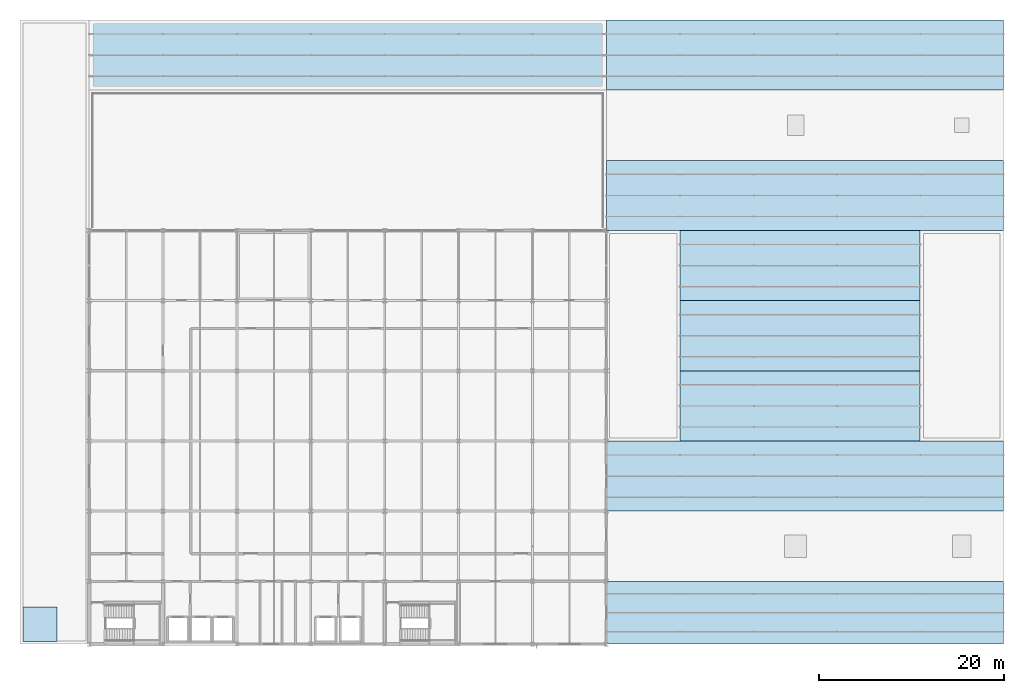
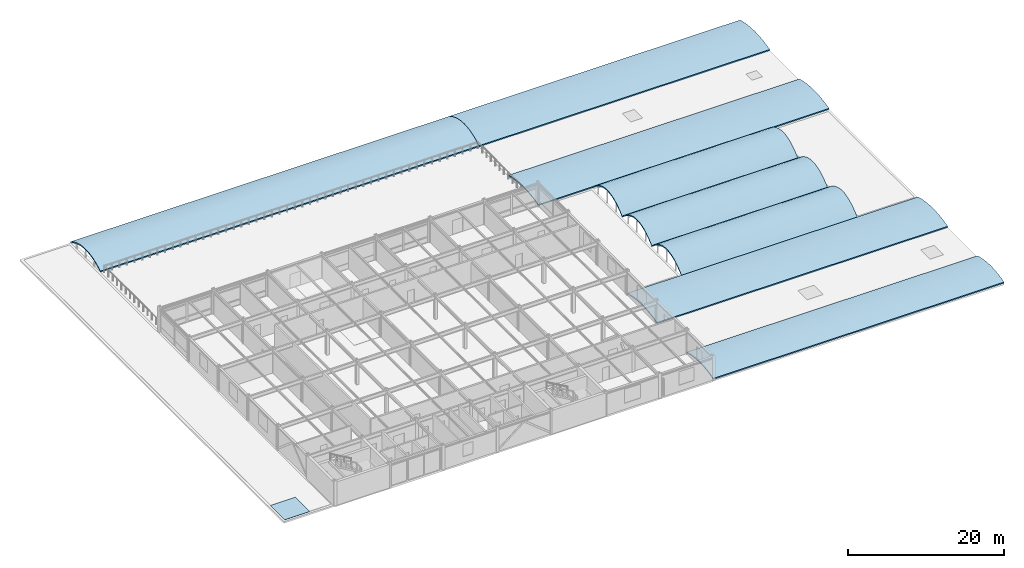
# One storey, part 43 of 46: 9 roofs.
"""IFC4 building model written with IfcOpenShell, lengths in metres."""

from ifc_helpers import new_model, si_unit, direction, frame, origin, place, context, subcontext, project, spatial, polyline, outline, extrude, material, layer, layer_set, type_object, element, save


model = new_model("IFC4")

# Units and contexts
model_context = context("Model", 3, precision=1e-05, world=origin(), true_north=direction((0.0, 1.0)))
body_context = subcontext(model_context, "Body", "Model", "MODEL_VIEW")
ifc_project = project(units=[si_unit("LENGTHUNIT", "METRE"), si_unit("AREAUNIT", "SQUARE_METRE"), si_unit("VOLUMEUNIT", "CUBIC_METRE"), si_unit("PLANEANGLEUNIT", "RADIAN"), si_unit("MASSUNIT", "GRAM", prefix="KILO")], contexts=[model_context])

# Site, building, storey
site_placement = place(None, origin())
site = spatial("IfcSite", under=ifc_project, at=site_placement, CompositionType="ELEMENT")
building_placement = place(site_placement, origin())
building = spatial("IfcBuilding", under=site, at=building_placement, Name="Shalkamar Park Central Library", CompositionType="ELEMENT")
storey_placement = place(building_placement, frame((0.0, 0.0, 20.39990234375)))
storey = spatial("IfcBuildingStorey", under=building, at=storey_placement, Name="L05", CompositionType="ELEMENT", Elevation=20.39990234375)

# Roofs
ifc_material = material(Name="Concrete C35/45", Category="concrete")
ifc_layer_1 = layer(ifc_material, 0.239990234375)
ifc_layer_set_1 = layer_set([ifc_layer_1], Name="Concrete C35/45")
roof_type_1 = type_object("IfcRoofType", Name="Insulated Flat Roof Assembly", PredefinedType="FLAT_ROOF", material=ifc_layer_set_1)
roof_1_placement = place(storey_placement, origin())
element("IfcRoof", 1, at=roof_1_placement, inside=storey, type_object=roof_type_1, Name="Level L05 Insulated Flat Roof Assembly", PredefinedType="FLAT_ROOF", context=body_context, shape_type="SweptSolid", body=[
    extrude(outline(polyline([(157.800048828125, 248.699951171875), (161.5, 248.699951171875), (161.5, 252.39990234375), (157.800048828125, 252.39990234375), (157.800048828125, 248.699951171875)])), origin(), (0.0, 0.0, 1.0), 0.030029296875),
])
ifc_layer_2 = layer(ifc_material, 0.179931640625)
ifc_layer_set_2 = layer_set([ifc_layer_2], Name="Concrete C35/45")
roof_type_2 = type_object("IfcRoofType", Name="Polychrome Barrel Vault Roof", PredefinedType="BARREL_ROOF", material=ifc_layer_set_2)
for number, where, z_axis, x_axis, name in (
    (2, (229.0, 274.199951171875, 0.0), (0.0, 0.0, 1.0), (1.0, 0.0, 0.0), "Barrel Vault Clerestory Roof BV-L04-1"),
    (3, (229.0, 281.800048828125, 0.0), (0.0, 0.0, 1.0), (1.0, 0.0, 0.0), "Barrel Vault Clerestory Roof BV-L04-2"),
):
    element("IfcRoof", number, at=place(storey_placement, frame(where, z_axis=z_axis, x_axis=x_axis)), inside=storey, type_object=roof_type_2, Name=name, PredefinedType="BARREL_ROOF", context=body_context, shape_type="SweptSolid", body=[
        extrude(outline(polyline([(-3.800048828125, 0.179931640625), (-3.324951171875, 0.601806640625), (-2.85009765625, 0.967529296875), (-2.375, 1.27685546875), (-1.89990234375, 1.530029296875), (-1.425048828125, 1.726806640625), (-0.949951171875, 1.867431640625), (-0.47509765625, 1.951904296875), (0.0, 1.97998046875), (0.47509765625, 1.951904296875), (0.949951171875, 1.867431640625), (1.425048828125, 1.726806640625), (1.89990234375, 1.530029296875), (2.375, 1.27685546875), (2.85009765625, 0.967529296875), (3.324951171875, 0.601806640625), (3.800048828125, 0.179931640625), (3.800048828125, 0.0), (3.324951171875, 0.421875), (2.85009765625, 0.78759765625), (2.375, 1.096923828125), (1.89990234375, 1.35009765625), (1.425048828125, 1.546875), (0.949951171875, 1.6875), (0.47509765625, 1.77197265625), (0.0, 1.800048828125), (-0.47509765625, 1.77197265625), (-0.949951171875, 1.6875), (-1.425048828125, 1.546875), (-1.89990234375, 1.35009765625), (-2.375, 1.096923828125), (-2.85009765625, 0.78759765625), (-3.324951171875, 0.421875), (-3.800048828125, 0.0), (-3.800048828125, 0.179931640625)])), frame((0.0, 0.0, 0.0), z_axis=(1.0, 0.0, 0.0), x_axis=(0.0, 1.0, 0.0)), (0.0, 0.0, 1.0), 26.0),
    ])
roof_2_placement = place(storey_placement, frame((229.0, 289.39990234375, 0.0), z_axis=(0.0, 0.0, 1.0), x_axis=(1.0, 0.0, 0.0)))
element("IfcRoof", 4, at=roof_2_placement, inside=storey, type_object=roof_type_2, Name="Barrel Vault Clerestory Roof BV-L04-3", PredefinedType="BARREL_ROOF", context=body_context, shape_type="SweptSolid", body=[
    extrude(outline(polyline([(-3.7998046875, 0.179931640625), (-3.324951171875, 0.601806640625), (-2.849853515625, 0.967529296875), (-2.375, 1.27685546875), (-1.89990234375, 1.530029296875), (-1.425048828125, 1.726806640625), (-0.949951171875, 1.867431640625), (-0.47509765625, 1.951904296875), (0.0, 1.97998046875), (0.47509765625, 1.951904296875), (0.949951171875, 1.867431640625), (1.425048828125, 1.726806640625), (1.89990234375, 1.530029296875), (2.375, 1.27685546875), (2.849853515625, 0.967529296875), (3.324951171875, 0.601806640625), (3.7998046875, 0.179931640625), (3.7998046875, 0.0), (3.324951171875, 0.421875), (2.849853515625, 0.78759765625), (2.375, 1.096923828125), (1.89990234375, 1.35009765625), (1.425048828125, 1.546875), (0.949951171875, 1.6875), (0.47509765625, 1.77197265625), (0.0, 1.800048828125), (-0.47509765625, 1.77197265625), (-0.949951171875, 1.6875), (-1.425048828125, 1.546875), (-1.89990234375, 1.35009765625), (-2.375, 1.096923828125), (-2.849853515625, 0.78759765625), (-3.324951171875, 0.421875), (-3.7998046875, 0.0), (-3.7998046875, 0.179931640625)])), frame((0.0, 0.0, 0.0), z_axis=(1.0, 0.0, 0.0), x_axis=(0.0, 1.0, 0.0)), (0.0, 0.0, 1.0), 26.0),
])
roof_3_placement = place(storey_placement, frame((221.0, 251.7998046875, 0.0), z_axis=(0.0, 0.0, 1.0), x_axis=(1.0, 0.0, 0.0)))
element("IfcRoof", 5, at=roof_3_placement, inside=storey, type_object=roof_type_2, Name="Barrel Vault Clerestory Roof BV-L04-S1", PredefinedType="BARREL_ROOF", context=body_context, shape_type="SweptSolid", body=[
    extrude(outline(polyline([(-3.39990234375, 0.179931640625), (-2.97509765625, 0.3017578125), (-2.550048828125, 0.407470703125), (-2.125, 0.496826171875), (-1.699951171875, 0.56982421875), (-1.27490234375, 0.626708984375), (-0.85009765625, 0.66748046875), (-0.425048828125, 0.69189453125), (0.0, 0.699951171875), (0.425048828125, 0.69189453125), (0.85009765625, 0.66748046875), (1.27490234375, 0.626708984375), (1.699951171875, 0.56982421875), (2.125, 0.496826171875), (2.550048828125, 0.407470703125), (2.97509765625, 0.3017578125), (3.39990234375, 0.179931640625), (3.39990234375, 0.0), (2.97509765625, 0.121826171875), (2.550048828125, 0.2275390625), (2.125, 0.31689453125), (1.699951171875, 0.39013671875), (1.27490234375, 0.44677734375), (0.85009765625, 0.487548828125), (0.425048828125, 0.511962890625), (0.0, 0.52001953125), (-0.425048828125, 0.511962890625), (-0.85009765625, 0.487548828125), (-1.27490234375, 0.44677734375), (-1.699951171875, 0.39013671875), (-2.125, 0.31689453125), (-2.550048828125, 0.2275390625), (-2.97509765625, 0.121826171875), (-3.39990234375, 0.0), (-3.39990234375, 0.179931640625)])), frame((0.0, 0.0, 0.0), z_axis=(1.0, 0.0, 0.0), x_axis=(0.0, 1.0, 0.0)), (0.0, 0.0, 1.0), 43.0),
])
roof_4_placement = place(storey_placement, frame((221.0, 266.60009765625, 0.0), z_axis=(0.0, 0.0, 1.0), x_axis=(1.0, 0.0, 0.0)))
element("IfcRoof", 6, at=roof_4_placement, inside=storey, type_object=roof_type_2, Name="Barrel Vault Clerestory Roof BV-L04-S2", PredefinedType="BARREL_ROOF", context=body_context, shape_type="SweptSolid", body=[
    extrude(outline(polyline([(-3.7998046875, 0.179931640625), (-3.324951171875, 0.3017578125), (-2.849853515625, 0.407470703125), (-2.375, 0.496826171875), (-1.89990234375, 0.56982421875), (-1.425048828125, 0.626708984375), (-0.949951171875, 0.66748046875), (-0.47509765625, 0.69189453125), (0.0, 0.699951171875), (0.47509765625, 0.69189453125), (0.949951171875, 0.66748046875), (1.425048828125, 0.626708984375), (1.89990234375, 0.56982421875), (2.375, 0.496826171875), (2.849853515625, 0.407470703125), (3.324951171875, 0.3017578125), (3.7998046875, 0.179931640625), (3.7998046875, 0.0), (3.324951171875, 0.121826171875), (2.849853515625, 0.2275390625), (2.375, 0.31689453125), (1.89990234375, 0.39013671875), (1.425048828125, 0.44677734375), (0.949951171875, 0.487548828125), (0.47509765625, 0.511962890625), (0.0, 0.52001953125), (-0.47509765625, 0.511962890625), (-0.949951171875, 0.487548828125), (-1.425048828125, 0.44677734375), (-1.89990234375, 0.39013671875), (-2.375, 0.31689453125), (-2.849853515625, 0.2275390625), (-3.324951171875, 0.121826171875), (-3.7998046875, 0.0), (-3.7998046875, 0.179931640625)])), frame((0.0, 0.0, 0.0), z_axis=(1.0, 0.0, 0.0), x_axis=(0.0, 1.0, 0.0)), (0.0, 0.0, 1.0), 43.0),
])
for number, where, z_axis, x_axis, name in (
    (7, (221.0, 297.0, 0.0), (0.0, 0.0, 1.0), (1.0, 0.0, 0.0), "Barrel Vault Clerestory Roof BV-L04-N1"),
    (8, (221.0, 312.199951171875, 0.0), (0.0, 0.0, 1.0), (1.0, 0.0, 0.0), "Barrel Vault Clerestory Roof BV-L04-N2"),
):
    element("IfcRoof", number, at=place(storey_placement, frame(where, z_axis=z_axis, x_axis=x_axis)), inside=storey, type_object=roof_type_2, Name=name, PredefinedType="BARREL_ROOF", context=body_context, shape_type="SweptSolid", body=[
        extrude(outline(polyline([(-3.800048828125, 0.179931640625), (-3.324951171875, 0.3017578125), (-2.85009765625, 0.407470703125), (-2.375, 0.496826171875), (-1.89990234375, 0.56982421875), (-1.425048828125, 0.626708984375), (-0.949951171875, 0.66748046875), (-0.47509765625, 0.69189453125), (0.0, 0.699951171875), (0.47509765625, 0.69189453125), (0.949951171875, 0.66748046875), (1.425048828125, 0.626708984375), (1.89990234375, 0.56982421875), (2.375, 0.496826171875), (2.85009765625, 0.407470703125), (3.324951171875, 0.3017578125), (3.800048828125, 0.179931640625), (3.800048828125, 0.0), (3.324951171875, 0.121826171875), (2.85009765625, 0.2275390625), (2.375, 0.31689453125), (1.89990234375, 0.39013671875), (1.425048828125, 0.44677734375), (0.949951171875, 0.487548828125), (0.47509765625, 0.511962890625), (0.0, 0.52001953125), (-0.47509765625, 0.511962890625), (-0.949951171875, 0.487548828125), (-1.425048828125, 0.44677734375), (-1.89990234375, 0.39013671875), (-2.375, 0.31689453125), (-2.85009765625, 0.2275390625), (-3.324951171875, 0.121826171875), (-3.800048828125, 0.0), (-3.800048828125, 0.179931640625)])), frame((0.0, 0.0, 0.0), z_axis=(1.0, 0.0, 0.0), x_axis=(0.0, 1.0, 0.0)), (0.0, 0.0, 1.0), 43.0),
    ])
roof_5_placement = place(storey_placement, frame((165.0, 312.199951171875, 0.0), z_axis=(0.0, 0.0, 1.0), x_axis=(1.0, 0.0, 0.0)))
element("IfcRoof", 9, at=roof_5_placement, inside=storey, type_object=roof_type_2, Name="Barrel Vault Clerestory Roof BV-L04-NN", PredefinedType="BARREL_ROOF", context=body_context, shape_type="SweptSolid", body=[
    extrude(outline(polyline([(-3.800048828125, 0.179931640625), (-3.324951171875, 0.449462890625), (-2.85009765625, 0.68310546875), (-2.375, 0.880615234375), (-1.89990234375, 1.04248046875), (-1.425048828125, 1.168212890625), (-0.949951171875, 1.258056640625), (-0.47509765625, 1.311767578125), (0.0, 1.329833984375), (0.47509765625, 1.311767578125), (0.949951171875, 1.258056640625), (1.425048828125, 1.168212890625), (1.89990234375, 1.04248046875), (2.375, 0.880615234375), (2.85009765625, 0.68310546875), (3.324951171875, 0.449462890625), (3.800048828125, 0.179931640625), (3.800048828125, 0.0), (3.324951171875, 0.26953125), (2.85009765625, 0.503173828125), (2.375, 0.70068359375), (1.89990234375, 0.8623046875), (1.425048828125, 0.98828125), (0.949951171875, 1.078125), (0.47509765625, 1.1318359375), (0.0, 1.14990234375), (-0.47509765625, 1.1318359375), (-0.949951171875, 1.078125), (-1.425048828125, 0.98828125), (-1.89990234375, 0.8623046875), (-2.375, 0.70068359375), (-2.85009765625, 0.503173828125), (-3.324951171875, 0.26953125), (-3.800048828125, 0.0), (-3.800048828125, 0.179931640625)])), frame((0.0, 0.0, 0.0), z_axis=(1.0, 0.0, 0.0), x_axis=(0.0, 1.0, 0.0)), (0.0, 0.0, 1.0), 56.0),
])

save(model, "model.ifc")
